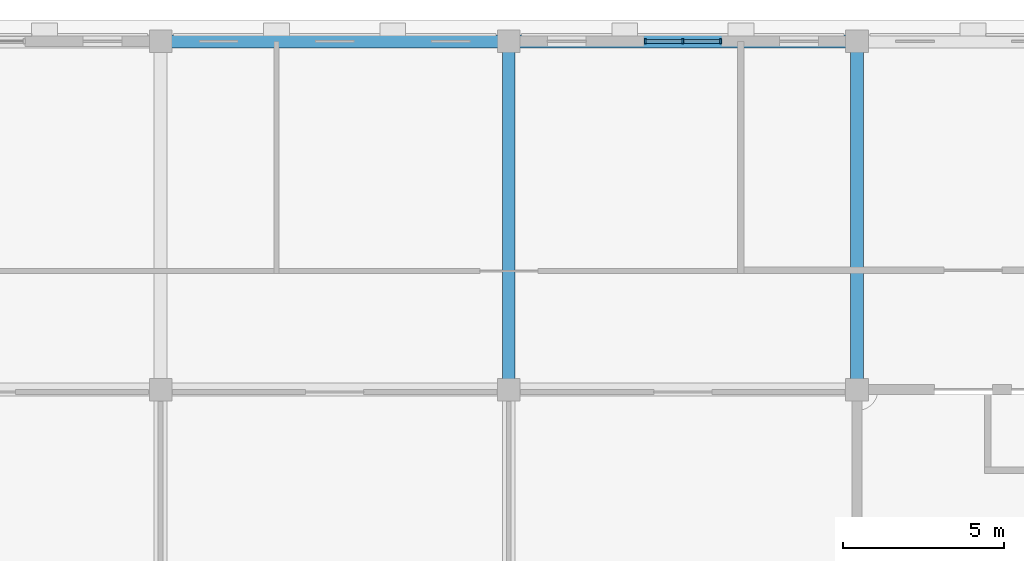
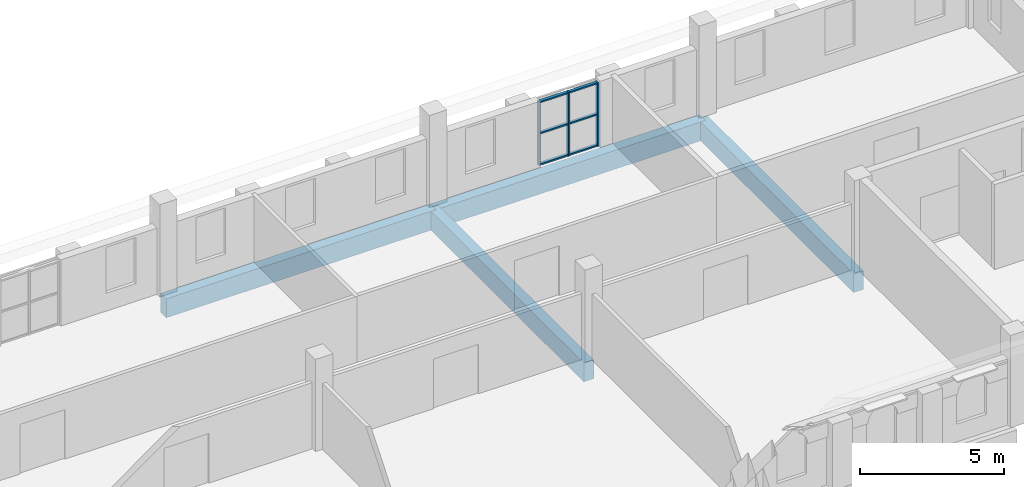
# One storey, part 9 of 32: 9 members, 4 beams, 1 element without a shape of its own.
"""IFC4 building model written with IfcOpenShell, lengths in metres."""

from ifc_helpers import new_model, si_unit, direction, frame, origin, origin_2d, place, context, subcontext, project, spatial, rectangle, extrude, material, layer, layer_set, material_profile, profile_set, type_object, element, aggregate, save


model = new_model("IFC4")

# Units and contexts
model_context = context("Model", 3, precision=1e-05, world=origin(), true_north=direction((0.0, 1.0)))
body_context = subcontext(model_context, "Body", "Model", "MODEL_VIEW")
ifc_project = project(units=[si_unit("LENGTHUNIT", "METRE"), si_unit("AREAUNIT", "SQUARE_METRE"), si_unit("VOLUMEUNIT", "CUBIC_METRE"), si_unit("PLANEANGLEUNIT", "RADIAN"), si_unit("MASSUNIT", "GRAM", prefix="KILO")], contexts=[model_context])

# Site, building, storey
site_placement = place(None, origin())
site = spatial("IfcSite", under=ifc_project, at=site_placement, CompositionType="ELEMENT")
building_placement = place(site_placement, origin())
building = spatial("IfcBuilding", under=site, at=building_placement, Name="Magnolia Steps Interchange", CompositionType="ELEMENT")
storey_placement = place(building_placement, frame((0.0, 0.0, 16.5)))
storey = spatial("IfcBuildingStorey", under=building, at=storey_placement, Name="L04", CompositionType="ELEMENT", Elevation=16.5)

# Curtain wall, members
ifc_material_1 = material(Name="Powder-coated aluminium and glass", Category="aluminium")
ifc_layer = layer(ifc_material_1, 0.199951171875)
ifc_layer_set = layer_set([ifc_layer], Name="Glazed central bay curtain wall")
curtain_wall_type = type_object("IfcCurtainWallType", Name="Glazed central bay curtain wall", PredefinedType="NOTDEFINED", material=ifc_layer_set)
curtain_wall_placement = place(storey_placement, origin())
curtain_wall = element("IfcCurtainWall", 1, at=curtain_wall_placement, inside=storey, type_object=curtain_wall_type, Name="Operations building north wall L04 glazing 4", PredefinedType="NOTDEFINED")
ifc_material_2 = material(Name="White powder-coated aluminium", Category="aluminium")
ifc_material_profile_1 = material_profile(ifc_material_2, rectangle(XDim=0.06005859375, YDim=0.14990234375, at=origin_2d()), Name="Aluminium mullion 60 x 150")
ifc_profile_set_1 = profile_set([ifc_material_profile_1], Name="White powder-coated aluminium")
member_type_1 = type_object("IfcMemberType", Name="Aluminium mullion 60 x 150", PredefinedType="MULLION", material=ifc_profile_set_1)
member_1_placement = place(storey_placement, frame((100.6298828125, 118.0, 0.0), z_axis=(0.0, 0.0, 1.0), x_axis=(1.0, 0.0, 0.0)))
member_1 = element("IfcMember", 2, at=member_1_placement, type_object=member_type_1, Name="CW2 mullion 1", PredefinedType="MULLION", context=body_context, shape_type="SweptSolid", body=[
    extrude(rectangle(XDim=0.06005859375, YDim=0.14990234375, at=origin_2d()), origin(), (0.0, 0.0, 1.0), 2.699951171875),
])
member_2_placement = place(storey_placement, frame((101.800048828125, 118.0, 0.0), z_axis=(0.0, 0.0, 1.0), x_axis=(1.0, 0.0, 0.0)))
member_2 = element("IfcMember", 3, at=member_2_placement, type_object=member_type_1, Name="CW2 mullion 2", PredefinedType="MULLION", context=body_context, shape_type="SweptSolid", body=[
    extrude(rectangle(XDim=0.06005859375, YDim=0.14990234375, at=origin_2d()), origin(), (0.0, 0.0, 1.0), 2.699951171875),
])
member_3_placement = place(storey_placement, frame((102.969970703125, 118.0, 0.0), z_axis=(0.0, 0.0, 1.0), x_axis=(1.0, 0.0, 0.0)))
member_3 = element("IfcMember", 4, at=member_3_placement, type_object=member_type_1, Name="CW2 mullion 3", PredefinedType="MULLION", context=body_context, shape_type="SweptSolid", body=[
    extrude(rectangle(XDim=0.06005859375, YDim=0.14990234375, at=origin_2d()), origin(), (0.0, 0.0, 1.0), 2.699951171875),
])
ifc_material_3 = material(Name="White powder-coated aluminium", Category="aluminium")
ifc_material_profile_2 = material_profile(ifc_material_3, rectangle(XDim=0.06005859375, YDim=0.1201171875, at=origin_2d()), Name="Aluminium transom 60 x 120")
ifc_profile_set_2 = profile_set([ifc_material_profile_2], Name="White powder-coated aluminium")
member_type_2 = type_object("IfcMemberType", Name="Aluminium transom 60 x 120", PredefinedType="USERDEFINED", material=ifc_profile_set_2)
member_4_placement = place(storey_placement, frame((100.659912109375, 118.0, 0.030029296875), z_axis=(1.0, 0.0, 0.0), x_axis=(0.0, 0.0, 1.0)))
member_4 = element("IfcMember", 5, at=member_4_placement, type_object=member_type_2, Name="CW2 transom 1.1", ObjectType="TRANSOM", PredefinedType="USERDEFINED", context=body_context, shape_type="SweptSolid", body=[
    extrude(rectangle(XDim=0.06005859375, YDim=0.1201171875, at=origin_2d()), origin(), (0.0, 0.0, 1.0), 1.110107421875),
])
member_5_placement = place(storey_placement, frame((100.659912109375, 118.0, 1.35009765625), z_axis=(1.0, 0.0, 0.0), x_axis=(0.0, 0.0, 1.0)))
member_5 = element("IfcMember", 6, at=member_5_placement, type_object=member_type_2, Name="CW2 transom 1.2", ObjectType="TRANSOM", PredefinedType="USERDEFINED", context=body_context, shape_type="SweptSolid", body=[
    extrude(rectangle(XDim=0.06005859375, YDim=0.1201171875, at=origin_2d()), origin(), (0.0, 0.0, 1.0), 1.110107421875),
])
member_6_placement = place(storey_placement, frame((100.659912109375, 118.0, 2.669921875), z_axis=(1.0, 0.0, 0.0), x_axis=(0.0, 0.0, 1.0)))
member_6 = element("IfcMember", 7, at=member_6_placement, type_object=member_type_2, Name="CW2 transom 1.3", ObjectType="TRANSOM", PredefinedType="USERDEFINED", context=body_context, shape_type="SweptSolid", body=[
    extrude(rectangle(XDim=0.06005859375, YDim=0.1201171875, at=origin_2d()), origin(), (0.0, 0.0, 1.0), 1.110107421875),
])
member_7_placement = place(storey_placement, frame((101.830078125, 118.0, 0.030029296875), z_axis=(1.0, 0.0, 0.0), x_axis=(0.0, 0.0, 1.0)))
member_7 = element("IfcMember", 8, at=member_7_placement, type_object=member_type_2, Name="CW2 transom 2.1", ObjectType="TRANSOM", PredefinedType="USERDEFINED", context=body_context, shape_type="SweptSolid", body=[
    extrude(rectangle(XDim=0.06005859375, YDim=0.1201171875, at=origin_2d()), origin(), (0.0, 0.0, 1.0), 1.10986328125),
])
member_8_placement = place(storey_placement, frame((101.830078125, 118.0, 1.35009765625), z_axis=(1.0, 0.0, 0.0), x_axis=(0.0, 0.0, 1.0)))
member_8 = element("IfcMember", 9, at=member_8_placement, type_object=member_type_2, Name="CW2 transom 2.2", ObjectType="TRANSOM", PredefinedType="USERDEFINED", context=body_context, shape_type="SweptSolid", body=[
    extrude(rectangle(XDim=0.06005859375, YDim=0.1201171875, at=origin_2d()), origin(), (0.0, 0.0, 1.0), 1.10986328125),
])
member_9_placement = place(storey_placement, frame((101.830078125, 118.0, 2.669921875), z_axis=(1.0, 0.0, 0.0), x_axis=(0.0, 0.0, 1.0)))
member_9 = element("IfcMember", 10, at=member_9_placement, type_object=member_type_2, Name="CW2 transom 2.3", ObjectType="TRANSOM", PredefinedType="USERDEFINED", context=body_context, shape_type="SweptSolid", body=[
    extrude(rectangle(XDim=0.06005859375, YDim=0.1201171875, at=origin_2d()), origin(), (0.0, 0.0, 1.0), 1.10986328125),
])
aggregate(curtain_wall, [member_1, member_2, member_3, member_4, member_5, member_6, member_7, member_8, member_9])

# Beams
ifc_material_4 = material(Name="Concrete C40", Category="concrete")
ifc_material_profile_3 = material_profile(ifc_material_4, rectangle(XDim=0.39990234375, YDim=0.800048828125, at=origin_2d()), Name="RC400x800")
ifc_profile_set_3 = profile_set([ifc_material_profile_3], Name="Concrete C40")
beam_type = type_object("IfcBeamType", Name="RC beam 400x800", PredefinedType="BEAM", material=ifc_profile_set_3)
beam_placement = place(storey_placement, frame((85.60009765625, 118.0, -0.699951171875), z_axis=(1.0, 0.0, 0.0), x_axis=(0.0, 1.0, 0.0)))
element("IfcBeam", 11, at=beam_placement, inside=storey, type_object=beam_type, Name="Beam L04 K 8-9", PredefinedType="BEAM", context=body_context, shape_type="SweptSolid", body=[
    extrude(rectangle(XDim=0.39990234375, YDim=0.800048828125, at=origin_2d()), origin(), (0.0, 0.0, 1.0), 10.7998046875),
])
for number, where, z_axis, x_axis, name in (
    (12, (96.39990234375, 118.0, -0.699951171875), (1.0, 0.0, 0.0), (0.0, 1.0, 0.0), "Beam L04 K 9-10"),
    (13, (107.199951171875, 107.199951171875, -0.699951171875), (0.0, 1.0, 0.0), (-1.0, 0.0, 0.0), "Beam L04 10 J-K"),
    (14, (96.39990234375, 107.199951171875, -0.699951171875), (0.0, 1.0, 0.0), (-1.0, 0.0, 0.0), "Beam L04 9 J-K"),
):
    element("IfcBeam", number, at=place(storey_placement, frame(where, z_axis=z_axis, x_axis=x_axis)), inside=storey, type_object=beam_type, Name=name, PredefinedType="BEAM", context=body_context, shape_type="SweptSolid", body=[
        extrude(rectangle(XDim=0.39990234375, YDim=0.800048828125, at=origin_2d()), origin(), (0.0, 0.0, 1.0), 10.800048828125),
    ])

save(model, "model.ifc")
